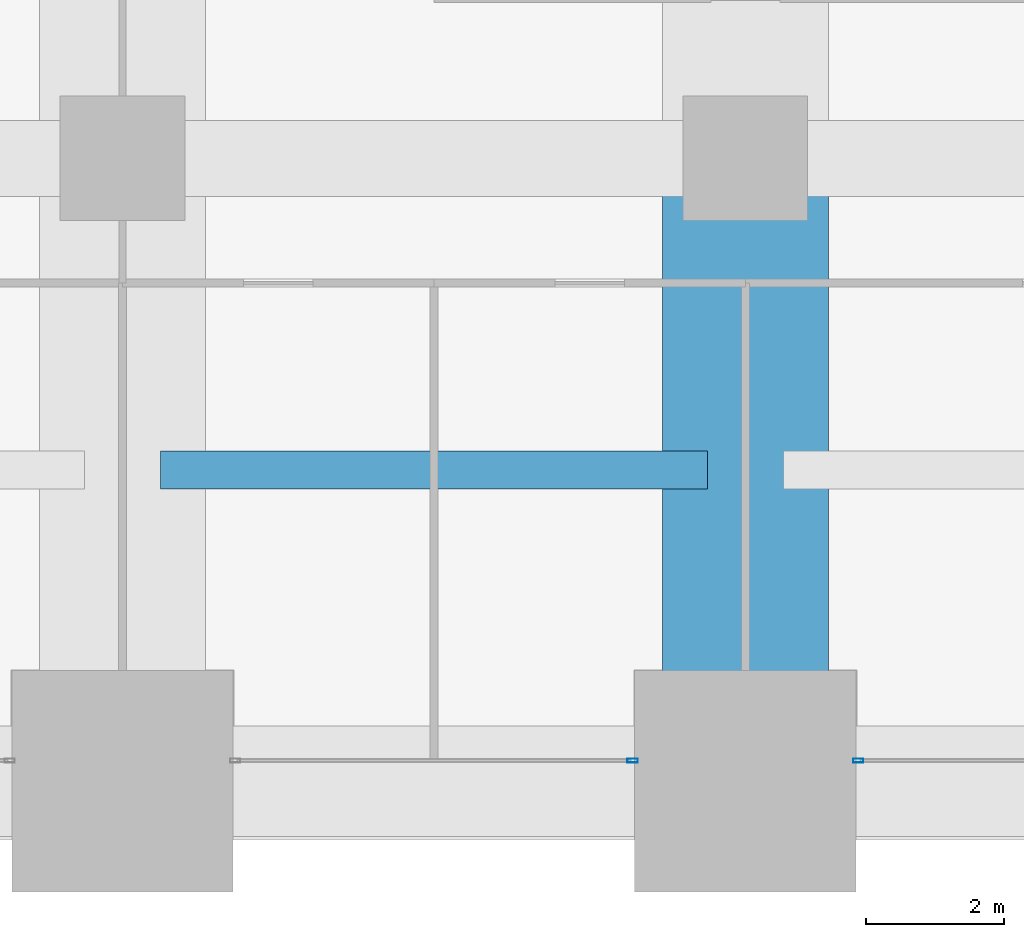
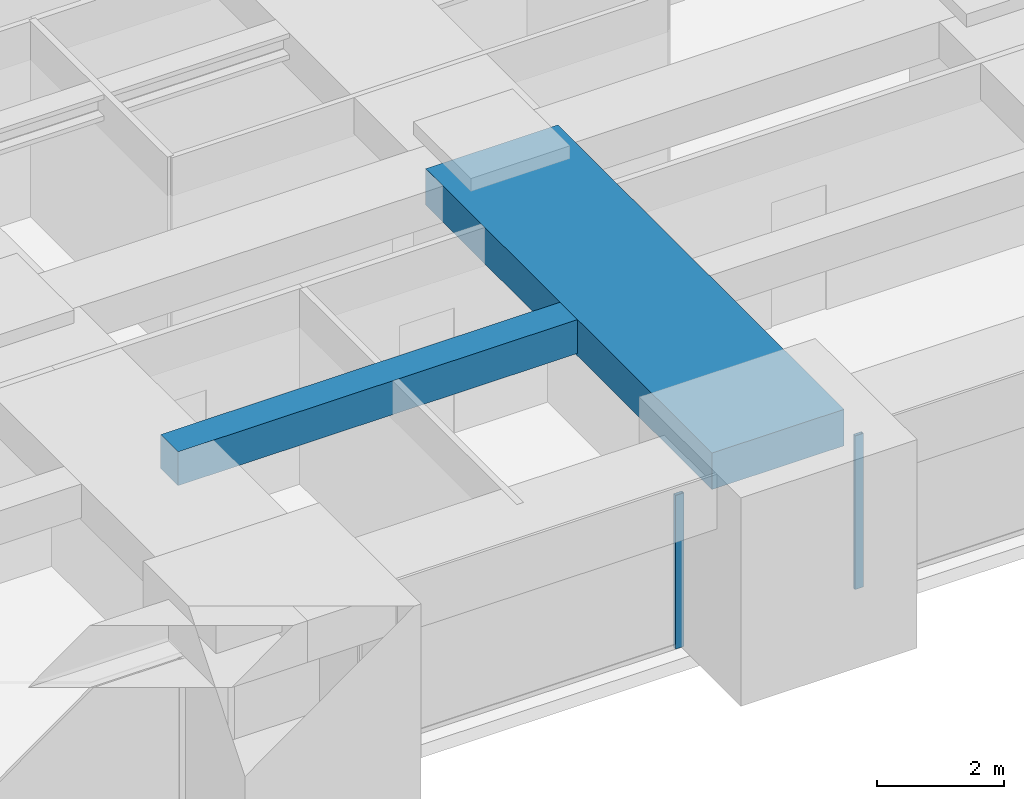
# One storey, part 14 of 36: 2 beams, 2 members, 2 elements without a shape of their own.
"""IFC4 building model written with IfcOpenShell, lengths in metres."""

import ifcopenshell
import ifcopenshell.guid

model = None  # the IFC model being written
_history = None  # IfcOwnerHistory: only IFC2X3 demands one
_inside = {}  # id of a spatial element -> (the spatial element, [elements in it])
_under = {}  # id of a project, library or spatial element -> (it, [spatial elements below it])
_declared = {}  # id of a project -> (the project, [libraries it declares])
_typed = {}  # id of a type object -> (the type object, [elements of that type])
_made_of = {}  # id of a material, layer set ... -> (it, [elements and type objects made of it])


def new_model(schema):
    """Start an empty IFC model of exactly this schema.

    Asked for "IFC4X3", IfcOpenShell would pick the latest addendum, in which some entities
    have other attributes; the version numbers below select the first issue.
    IFC2X3 requires an IfcOwnerHistory on every rooted entity: one is made here for all.
    """
    global model, _history
    if schema == "IFC4X3":
        model = ifcopenshell.file(schema_version=(4, 3, 0, 0))
    else:
        model = ifcopenshell.file(schema=schema)
    _inside.clear()
    _under.clear()
    _declared.clear()
    _typed.clear()
    _made_of.clear()
    _history = None
    if model.schema == "IFC2X3":
        org = make("IfcOrganization", Name="unknown")
        user = make(
            "IfcPersonAndOrganization",
            ThePerson=make("IfcPerson", FamilyName="unknown"),
            TheOrganization=org,
        )
        app = make(
            "IfcApplication",
            ApplicationDeveloper=org,
            Version="unknown",
            ApplicationFullName="unknown",
            ApplicationIdentifier="unknown",
        )
        _history = make(
            "IfcOwnerHistory",
            OwningUser=user,
            OwningApplication=app,
            ChangeAction="ADDED",
            CreationDate=0,
        )
    return model


def make(cls, **values):
    """One entity of the class cls with the attributes given. An attribute that is None is left unset."""
    return model.create_entity(
        cls, **{name: value for name, value in values.items() if value is not None}
    )


def rooted(cls, **values):
    """An entity with a GlobalId (a new one), such as an element, a storey or a relation."""
    return make(cls, GlobalId=ifcopenshell.guid.new(), OwnerHistory=_history, **values)


def si_unit(unit_type, name, prefix=None):
    """IfcSIUnit, for example si_unit("LENGTHUNIT", "METRE", prefix="MILLI")."""
    return make("IfcSIUnit", UnitType=unit_type, Prefix=prefix, Name=name)


def assignment(units):
    """IfcUnitAssignment: the units of a project."""
    return None if units is None else make("IfcUnitAssignment", Units=units)


def point(xyz):
    """IfcCartesianPoint."""
    return None if xyz is None else make("IfcCartesianPoint", Coordinates=xyz)


def direction(xyz):
    """IfcDirection."""
    return None if xyz is None else make("IfcDirection", DirectionRatios=xyz)


def frame(location, z_axis=None, x_axis=None):
    """IfcAxis2Placement3D, a coordinate frame: its origin and axes. An axis left out is left unset."""
    return make(
        "IfcAxis2Placement3D",
        Location=point(location),
        Axis=direction(z_axis),
        RefDirection=direction(x_axis),
    )


def frame_2d(location, x_axis=None):
    """IfcAxis2Placement2D, a coordinate frame in the plane: its origin and x axis."""
    return make(
        "IfcAxis2Placement2D", Location=point(location), RefDirection=direction(x_axis)
    )


def origin():
    """The frame at (0, 0, 0) with its axes left unset."""
    return frame((0.0, 0.0, 0.0))


def origin_2d():
    """The frame at (0, 0) in the plane with its x axis left unset."""
    return frame_2d((0.0, 0.0))


def place(relative_to, where):
    """IfcLocalPlacement: puts the frame where relative to a parent placement (None: the world)."""
    return make(
        "IfcLocalPlacement", PlacementRelTo=relative_to, RelativePlacement=where
    )


def context(
    kind, dimensions, precision=None, world=None, true_north=None, identifier=None
):
    """IfcGeometricRepresentationContext, for example the 3D "Model" context."""
    return make(
        "IfcGeometricRepresentationContext",
        ContextIdentifier=identifier,
        ContextType=kind,
        CoordinateSpaceDimension=dimensions,
        Precision=precision,
        WorldCoordinateSystem=world,
        TrueNorth=true_north,
    )


def subcontext(parent, identifier, kind, view, scale=None):
    """IfcGeometricRepresentationSubContext, for example "Body" below "Model"."""
    return make(
        "IfcGeometricRepresentationSubContext",
        ContextIdentifier=identifier,
        ContextType=kind,
        ParentContext=parent,
        TargetScale=scale,
        TargetView=view,
    )


def project(units=None, contexts=None):
    """IfcProject with its units and contexts."""
    return rooted(
        "IfcProject",
        Name="project",
        RepresentationContexts=contexts,
        UnitsInContext=assignment(units),
    )


def spatial(cls, under=None, at=None, **own):
    """A site, building, storey or space (cls), placed at a placement, below another one or the project."""
    s = rooted(cls, ObjectPlacement=at, **own)
    if under is not None:
        _under.setdefault(under.id(), (under, []))[1].append(s)
    return s


def profile(cls, at=None, kind="AREA", **sizes):
    """A parametric profile (cls). Its sizes go by their IFC names, for example OverallWidth=200.0."""
    return make(cls, ProfileType=kind, Position=at, **sizes)


def rectangle(**sizes):
    """IfcRectangleProfileDef."""
    return profile("IfcRectangleProfileDef", **sizes)


def hollow_rectangle(**sizes):
    """IfcRectangleHollowProfileDef."""
    return profile("IfcRectangleHollowProfileDef", **sizes)


def extrude(swept, where, along, depth):
    """IfcExtrudedAreaSolid: the profile swept, set in the frame where, extruded along a direction by depth."""
    return make(
        "IfcExtrudedAreaSolid",
        SweptArea=swept,
        Position=where,
        ExtrudedDirection=direction(along),
        Depth=depth,
    )


def shape(context_of_items, identifier, shape_type, items):
    """IfcShapeRepresentation: the items that make up one representation, for example the "Body"."""
    return make(
        "IfcShapeRepresentation",
        ContextOfItems=context_of_items,
        RepresentationIdentifier=identifier,
        RepresentationType=shape_type,
        Items=items,
    )


def material(Name=None, Category=None):
    """IfcMaterial."""
    return make("IfcMaterial", Name=Name, Category=Category)


def material_profile(
    of_material, cross_section, Name=None, Category=None, Priority=None
):
    """IfcMaterialProfile: a cross section and its material."""
    return make(
        "IfcMaterialProfile",
        Name=Name,
        Material=of_material,
        Profile=cross_section,
        Priority=Priority,
        Category=Category,
    )


def profile_set(profiles, Name=None, composite=None):
    """IfcMaterialProfileSet."""
    return make(
        "IfcMaterialProfileSet",
        Name=Name,
        MaterialProfiles=profiles,
        CompositeProfile=composite,
    )


def made_of(thing, what):
    """Note that an element or type object is made of a material, layer set ...; save() writes the relation."""
    if what is not None:
        _made_of.setdefault(what.id(), (what, []))[1].append(thing)
    return thing


def type_object(cls, material=None, **own):
    """A type object (cls), such as IfcWallType, which elements share."""
    return made_of(rooted(cls, **own), material)


def element(
    cls,
    number,
    at=None,
    inside=None,
    cuts=None,
    type_object=None,
    material=None,
    context=None,
    identifier="Body",
    shape_type=None,
    held_by="IfcProductDefinitionShape",
    body=None,
    shapes=None,
    **own,
):
    """One element of the class cls, such as IfcWall. Its Tag is "e" and its number.

    at: its placement. inside: the storey or other place that contains it. cuts: it is an
    opening in that element (IfcRelVoidsElement). A single representation is given by context,
    identifier, shape_type and body (its items); several are given by shapes. held_by: the class
    of the entity that holds the representations. save() writes the other relations.
    """
    e = rooted(cls, Tag="e%d" % number, ObjectPlacement=at, **own)
    if body is not None:
        shapes = [shape(context, identifier, shape_type, body)]
    if shapes is not None:
        e.Representation = make(held_by, Representations=shapes)
    if inside is not None:
        _inside.setdefault(inside.id(), (inside, []))[1].append(e)
    if cuts is not None:
        rooted(
            "IfcRelVoidsElement", RelatingBuildingElement=cuts, RelatedOpeningElement=e
        )
    if type_object is not None:
        _typed.setdefault(type_object.id(), (type_object, []))[1].append(e)
    return made_of(e, material)


def aggregate(whole, parts):
    """IfcRelAggregates: a whole, such as a stair, and the parts it consists of."""
    return rooted("IfcRelAggregates", RelatingObject=whole, RelatedObjects=parts)


def save(model, path):
    """Write the relations noted so far, then the file.

    IfcRelAggregates (storeys below a building ...), IfcRelContainedInSpatialStructure (elements
    in a storey), IfcRelDefinesByType, IfcRelAssociatesMaterial and IfcRelDeclares: one each for
    every whole, place, type object, material and project.
    """
    for whole, parts in _under.values():
        aggregate(whole, parts)
    for where, things in _inside.values():
        rooted(
            "IfcRelContainedInSpatialStructure",
            RelatedElements=things,
            RelatingStructure=where,
        )
    for kind, things in _typed.values():
        rooted("IfcRelDefinesByType", RelatedObjects=things, RelatingType=kind)
    for what, things in _made_of.values():
        rooted("IfcRelAssociatesMaterial", RelatedObjects=things, RelatingMaterial=what)
    for by, libraries in _declared.values():
        rooted("IfcRelDeclares", RelatingContext=by, RelatedDefinitions=libraries)
    model.write(path)


model = new_model("IFC4")

# Units and contexts
model_context = context("Model", 3, precision=1e-05, world=origin(), true_north=direction((0.0, 1.0)))
body_context = subcontext(model_context, "Body", "Model", "MODEL_VIEW")
ifc_project = project(units=[si_unit("LENGTHUNIT", "METRE"), si_unit("AREAUNIT", "SQUARE_METRE"), si_unit("VOLUMEUNIT", "CUBIC_METRE"), si_unit("PLANEANGLEUNIT", "RADIAN"), si_unit("MASSUNIT", "GRAM", prefix="KILO")], contexts=[model_context])

# Site, building, storey
site_placement = place(None, origin())
site = spatial("IfcSite", under=ifc_project, at=site_placement, CompositionType="ELEMENT")
building_placement = place(site_placement, origin())
building = spatial("IfcBuilding", under=site, at=building_placement, Name="Zorevar Civic Tower", CompositionType="ELEMENT")
storey_placement = place(building_placement, frame((0.0, 0.0, 166.199951171875)))
storey = spatial("IfcBuildingStorey", under=building, at=storey_placement, Name="L40", CompositionType="ELEMENT", Elevation=166.199951171875)

# Beams
ifc_material_1 = material(Name="Concrete C50/60", Category="concrete")
ifc_material_profile_1 = material_profile(ifc_material_1, rectangle(XDim=2.39990234375, YDim=0.699951171875, at=origin_2d()), Name="RC 2400x700")
ifc_profile_set_1 = profile_set([ifc_material_profile_1], Name="Concrete C50/60")
beam_type_1 = type_object("IfcBeamType", Name="Beam RC 2400x700", PredefinedType="BEAM", material=ifc_profile_set_1)
beam_1_placement = place(storey_placement, frame((36.0, 0.0, 3.400146484375), z_axis=(0.0, 1.0, 0.0), x_axis=(-1.0, 0.0, 0.0)))
element("IfcBeam", 1, at=beam_1_placement, inside=storey, type_object=beam_type_1, Name="Girder L41", PredefinedType="BEAM", context=body_context, shape_type="SweptSolid", body=[
    extrude(rectangle(XDim=2.39990234375, YDim=0.699951171875, at=origin_2d()), origin(), (0.0, 0.0, 1.0), 9.0),
])
ifc_material_2 = material(Name="Concrete C50/60", Category="concrete")
ifc_material_profile_2 = material_profile(ifc_material_2, rectangle(XDim=0.550048828125, YDim=0.64990234375, at=origin_2d()), Name="RC 550x650")
ifc_profile_set_2 = profile_set([ifc_material_profile_2], Name="Concrete C50/60")
beam_type_2 = type_object("IfcBeamType", Name="Beam RC 550x650", PredefinedType="BEAM", material=ifc_profile_set_2)
beam_2_placement = place(storey_placement, frame((27.550048828125, 4.5, 3.425048828125), z_axis=(1.0, 0.0, 0.0), x_axis=(0.0, 1.0, 0.0)))
element("IfcBeam", 2, at=beam_2_placement, inside=storey, type_object=beam_type_2, Name="Secondary beam L41", PredefinedType="BEAM", context=body_context, shape_type="SweptSolid", body=[
    extrude(rectangle(XDim=0.550048828125, YDim=0.64990234375, at=origin_2d()), origin(), (0.0, 0.0, 1.0), 7.89990234375),
])

# Curtain wall, member
ifc_material_3 = material(Name="Dark grey solar-control glass in black aluminium frame", Category="aluminium")
curtain_wall_type = type_object("IfcCurtainWallType", Name="Curtain wall CW4 high zone", PredefinedType="NOTDEFINED", material=ifc_material_3)
curtain_wall_1_placement = place(storey_placement, origin())
curtain_wall_1 = element("IfcCurtainWall", 3, at=curtain_wall_1_placement, inside=storey, type_object=curtain_wall_type, Name="CW4 L40", PredefinedType="NOTDEFINED")
ifc_material_4 = material(Name="Aluminium, black anodised", Category="aluminium")
ifc_material_profile_3 = material_profile(ifc_material_4, hollow_rectangle(XDim=0.06005859375, YDim=0.14990234375, WallThickness=0.00390625, at=origin_2d()), Name="AL 150x60x4")
ifc_profile_set_3 = profile_set([ifc_material_profile_3], Name="Aluminium, black anodised")
member_type = type_object("IfcMemberType", Name="CW4 mullion AL 150x60x4", PredefinedType="MULLION", material=ifc_profile_set_3)
member_1_placement = place(storey_placement, frame((34.3701171875, 0.300048828125, 0.0), z_axis=(0.0, 0.0, 1.0), x_axis=(0.0, 1.0, 0.0)))
member_1 = element("IfcMember", 4, at=member_1_placement, type_object=member_type, Name="CW4 mullion 2", PredefinedType="MULLION", context=body_context, shape_type="SweptSolid", body=[
    extrude(hollow_rectangle(XDim=0.06005859375, YDim=0.14990234375, WallThickness=0.00390625, at=origin_2d()), origin(), (0.0, 0.0, 1.0), 2.949951171875),
])
aggregate(curtain_wall_1, [member_1])

curtain_wall_2_placement = place(storey_placement, origin())
curtain_wall_2 = element("IfcCurtainWall", 5, at=curtain_wall_2_placement, inside=storey, type_object=curtain_wall_type, Name="CW4 L40", PredefinedType="NOTDEFINED")
member_2_placement = place(storey_placement, frame((37.6298828125, 0.300048828125, 0.0), z_axis=(0.0, 0.0, 1.0), x_axis=(0.0, 1.0, 0.0)))
member_2 = element("IfcMember", 6, at=member_2_placement, type_object=member_type, Name="CW4 mullion 1", PredefinedType="MULLION", context=body_context, shape_type="SweptSolid", body=[
    extrude(hollow_rectangle(XDim=0.06005859375, YDim=0.14990234375, WallThickness=0.00390625, at=origin_2d()), origin(), (0.0, 0.0, 1.0), 2.949951171875),
])
aggregate(curtain_wall_2, [member_2])

save(model, "model.ifc")
